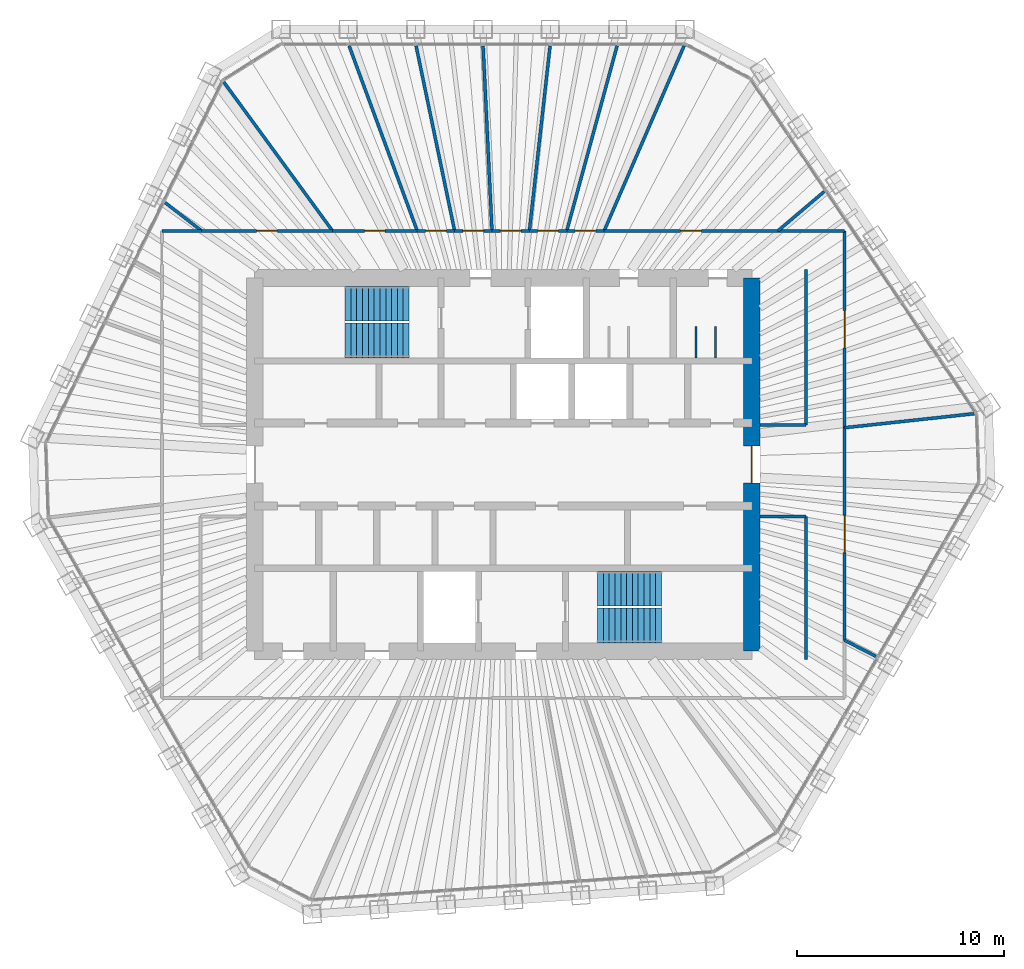
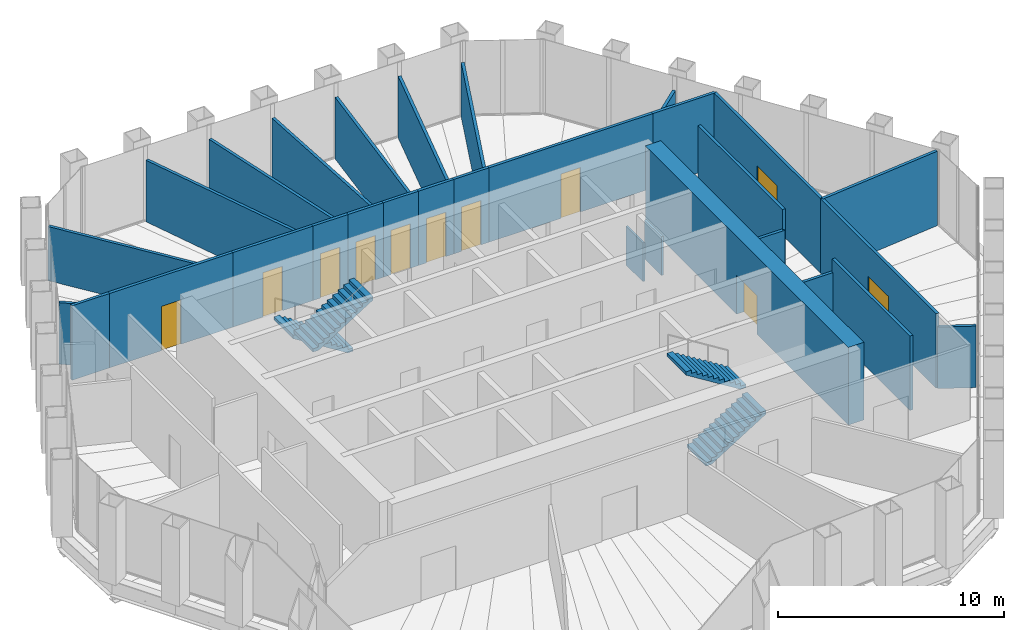
# One storey, part 13 of 14: 30 walls, 11 doors, 4 stair flights, 11 openings, 2 elements without a shape of their own.
"""IFC4 building model written with IfcOpenShell, lengths in metres."""

from ifc_helpers import new_model, si_unit, direction, frame, frame_2d, origin, place, context, subcontext, project, spatial, polyline, rectangle, outline, extrude, material, layer, layer_set, type_object, element, fill, aggregate, save


model = new_model("IFC4")

# Units and contexts
model_context = context("Model", 3, precision=1e-05, world=origin(), true_north=direction((0.0, 1.0)))
body_context = subcontext(model_context, "Body", "Model", "MODEL_VIEW")
ifc_project = project(units=[si_unit("LENGTHUNIT", "METRE"), si_unit("AREAUNIT", "SQUARE_METRE"), si_unit("VOLUMEUNIT", "CUBIC_METRE"), si_unit("PLANEANGLEUNIT", "RADIAN"), si_unit("MASSUNIT", "GRAM", prefix="KILO")], contexts=[model_context])

# Site, building, storey
site_placement = place(None, origin())
site = spatial("IfcSite", under=ifc_project, at=site_placement, CompositionType="ELEMENT")
building_placement = place(site_placement, origin())
building = spatial("IfcBuilding", under=site, at=building_placement, Name="Qingtian Harvest Tower", CompositionType="ELEMENT")
storey_placement = place(building_placement, frame((0.0, 0.0, 316.60009765625)))
storey = spatial("IfcBuildingStorey", under=building, at=storey_placement, Name="L70", CompositionType="ELEMENT", Elevation=316.60009765625)

# Wall, opening, door
ifc_material_1 = material(Name="Concrete fc' 70 MPa", Category="concrete")
ifc_layer_1 = layer(ifc_material_1, 0.800048828125)
ifc_layer_set_1 = layer_set([ifc_layer_1], Name="Core wall RC4 800")
wall_type_1 = type_object("IfcWallType", Name="Core wall RC4 800", PredefinedType="SHEAR", material=ifc_layer_set_1)
wall_1_placement = place(storey_placement, frame((12.0, -9.0, 0.0), z_axis=(0.0, 0.0, 1.0), x_axis=(0.0, 1.0, 0.0)))
wall_1 = element("IfcWall", 1, at=wall_1_placement, inside=storey, type_object=wall_type_1, Name="Core wall CE L70", PredefinedType="SHEAR", context=body_context, shape_type="SweptSolid", body=[
    extrude(rectangle(XDim=18.0, YDim=0.800048828125, at=frame_2d((9.0, 0.0))), origin(), (0.0, 0.0, 1.0), 4.199951171875),
])
opening_1_placement = place(wall_1_placement, frame((8.10009765625, 0.0, 0.0)))
opening_1 = element("IfcOpeningElement", 2, at=opening_1_placement, cuts=wall_1, Name="Opening FD2", PredefinedType="OPENING", context=body_context, shape_type="SweptSolid", body=[
    extrude(rectangle(XDim=1.800048828125, YDim=2.10009765625, at=frame_2d((0.89990234375, 1.050048828125))), frame((0.0, 0.409912109375, 0.0), z_axis=(0.0, -1.0, 0.0), x_axis=(1.0, 0.0, 0.0)), (0.0, 0.0, 1.0), 0.820068359375),
])
ifc_material_2 = material(Name="Steel-faced door leaf", Category="steel")
door_type_1 = type_object("IfcDoorType", Name="Fire door FD2 double 1 HR", OperationType="DOUBLE_DOOR_DOUBLE_SWING", PredefinedType="DOOR", material=ifc_material_2)
door_1_placement = place(opening_1_placement, origin())
door_1 = element("IfcDoor", 3, at=door_1_placement, inside=storey, type_object=door_type_1, Name="LOBBY-E door L70", OperationType="DOUBLE_DOOR_DOUBLE_SWING", OverallHeight=2.10009765625, OverallWidth=1.800048828125, PredefinedType="DOOR", context=body_context, shape_type="SweptSolid", body=[
    extrude(rectangle(XDim=1.800048828125, YDim=2.10009765625, at=frame_2d((0.89990234375, 1.050048828125))), frame((0.0, 0.02490234375, 0.0), z_axis=(0.0, -1.0, 0.0), x_axis=(1.0, 0.0, 0.0)), (0.0, 0.0, 1.0), 0.050048828125),
])
fill(opening_1, door_1)

# Wall
ifc_material_3 = material(Name="Gypsum board on steel studs", Category="steel")
ifc_layer_2 = layer(ifc_material_3, 0.14990234375)
ifc_layer_set_2 = layer_set([ifc_layer_2], Name="Partition PT1 150")
wall_type_2 = type_object("IfcWallType", Name="Partition PT1 150", PredefinedType="PARTITIONING", material=ifc_layer_set_2)
wall_2_placement = place(storey_placement, frame((22.725830078125, 2.45166015625, 0.0), z_axis=(0.0, 0.0, 1.0), x_axis=(-0.994231470971, -0.107255685772, 0.0)))
element("IfcWall", 4, at=wall_2_placement, inside=storey, type_object=wall_type_2, Name="Meeting room wall L70", PredefinedType="PARTITIONING", context=body_context, shape_type="SweptSolid", body=[
    extrude(rectangle(XDim=6.287109375, YDim=0.14990234375, at=frame_2d((3.1435546875, 0.0))), origin(), (0.0, 0.0, 1.0), 4.02978515625),
])

# Wall, opening, door
wall_3_placement = place(storey_placement, frame((16.47509765625, 1.77734375, 0.0), z_axis=(0.0, 0.0, 1.0), x_axis=(0.0, -1.0, 0.0)))
wall_3 = element("IfcWall", 5, at=wall_3_placement, inside=storey, type_object=wall_type_2, Name="Meeting room wall L70", PredefinedType="PARTITIONING", context=body_context, shape_type="SweptSolid", body=[
    extrude(rectangle(XDim=10.25927734375, YDim=0.14990234375, at=frame_2d((5.129638671875, 0.0))), origin(), (0.0, 0.0, 1.0), 4.02978515625),
])
opening_2_placement = place(wall_3_placement, frame((4.229736328125, 0.0, 0.0)))
opening_2 = element("IfcOpeningElement", 6, at=opening_2_placement, cuts=wall_3, Name="Opening D3", PredefinedType="OPENING", context=body_context, shape_type="SweptSolid", body=[
    extrude(rectangle(XDim=1.800048828125, YDim=2.39990234375, at=frame_2d((0.89990234375, 1.199951171875))), frame((0.0, 0.0849609375, 0.0), z_axis=(0.0, -1.0, 0.0), x_axis=(1.0, 0.0, 0.0)), (0.0, 0.0, 1.0), 0.169921875),
])
ifc_material_4 = material(Name="Laminated timber door leaf", Category="wood")
door_type_2 = type_object("IfcDoorType", Name="Room door D3 double", OperationType="DOUBLE_DOOR_DOUBLE_SWING", PredefinedType="DOOR", material=ifc_material_4)
door_2_placement = place(opening_2_placement, origin())
door_2 = element("IfcDoor", 7, at=door_2_placement, inside=storey, type_object=door_type_2, Name="Meeting room door L70", OperationType="DOUBLE_DOOR_DOUBLE_SWING", OverallHeight=2.39990234375, OverallWidth=1.800048828125, PredefinedType="DOOR", context=body_context, shape_type="SweptSolid", body=[
    extrude(rectangle(XDim=1.800048828125, YDim=2.39990234375, at=frame_2d((0.89990234375, 1.199951171875))), frame((0.0, 0.02490234375, 0.0), z_axis=(0.0, -1.0, 0.0), x_axis=(1.0, 0.0, 0.0)), (0.0, 0.0, 1.0), 0.050048828125),
])
fill(opening_2, door_2)

# Walls
wall_4_placement = place(storey_placement, frame((17.98046875, -9.257080078125, 0.0), z_axis=(0.0, 0.0, 1.0), x_axis=(-0.889058145064, 0.457794292991, 0.0)))
element("IfcWall", 8, at=wall_4_placement, inside=storey, type_object=wall_type_2, Name="Workplace zone wall L70", PredefinedType="PARTITIONING", context=body_context, shape_type="SweptSolid", body=[
    extrude(rectangle(XDim=1.693115234375, YDim=0.14990234375, at=frame_2d((0.8466796875, 0.0))), origin(), (0.0, 0.0, 1.0), 3.329833984375),
])
wall_5_placement = place(storey_placement, frame((-16.47509765625, 11.27490234375, 0.0), z_axis=(0.0, 0.0, 1.0), x_axis=(1.0, 0.0, 0.0)))
element("IfcWall", 9, at=wall_5_placement, inside=storey, type_object=wall_type_2, Name="Store room wall L70", PredefinedType="PARTITIONING", context=body_context, shape_type="SweptSolid", body=[
    extrude(rectangle(XDim=1.918701171875, YDim=0.14990234375, at=frame_2d((0.95947265625, 0.0))), origin(), (0.0, 0.0, 1.0), 4.02978515625),
])
wall_6_placement = place(storey_placement, frame((-16.313720703125, 12.63623046875, 0.0), z_axis=(0.0, 0.0, 1.0), x_axis=(0.790545318909, -0.612403542406, 0.0)))
element("IfcWall", 10, at=wall_6_placement, inside=storey, type_object=wall_type_2, Name="Meeting room wall L70", PredefinedType="PARTITIONING", context=body_context, shape_type="SweptSolid", body=[
    extrude(rectangle(XDim=2.222900390625, YDim=0.14990234375, at=frame_2d((1.111328125, 0.0))), origin(), (0.0, 0.0, 1.0), 3.329833984375),
])

# Wall, opening, door
wall_7_placement = place(storey_placement, frame((-14.556396484375, 11.27490234375, 0.0), z_axis=(0.0, 0.0, 1.0), x_axis=(1.0, 0.0, 0.0)))
wall_7 = element("IfcWall", 11, at=wall_7_placement, inside=storey, type_object=wall_type_2, Name="Meeting room wall L70", PredefinedType="PARTITIONING", context=body_context, shape_type="SweptSolid", body=[
    extrude(rectangle(XDim=6.317138671875, YDim=0.14990234375, at=frame_2d((3.15869140625, 0.0))), origin(), (0.0, 0.0, 1.0), 4.02978515625),
])
opening_3_placement = place(wall_7_placement, frame((2.65869140625, 0.0, 0.0)))
opening_3 = element("IfcOpeningElement", 12, at=opening_3_placement, cuts=wall_7, Name="Opening D2", PredefinedType="OPENING", context=body_context, shape_type="SweptSolid", body=[
    extrude(rectangle(XDim=1.0, YDim=2.39990234375, at=frame_2d((0.5, 1.199951171875))), frame((0.0, 0.0849609375, 0.0), z_axis=(0.0, -1.0, 0.0), x_axis=(1.0, 0.0, 0.0)), (0.0, 0.0, 1.0), 0.169921875),
])
ifc_material_5 = material(Name="Laminated timber door leaf", Category="wood")
door_type_3 = type_object("IfcDoorType", Name="Room door D2 single", OperationType="SINGLE_SWING_LEFT", PredefinedType="DOOR", material=ifc_material_5)
door_3_placement = place(opening_3_placement, origin())
door_3 = element("IfcDoor", 13, at=door_3_placement, inside=storey, type_object=door_type_3, Name="Meeting room door L70", OperationType="SINGLE_SWING_LEFT", OverallHeight=2.39990234375, OverallWidth=1.0, PredefinedType="DOOR", context=body_context, shape_type="SweptSolid", body=[
    extrude(rectangle(XDim=1.0, YDim=2.39990234375, at=frame_2d((0.5, 1.199951171875))), frame((0.0, 0.02490234375, 0.0), z_axis=(0.0, -1.0, 0.0), x_axis=(1.0, 0.0, 0.0)), (0.0, 0.0, 1.0), 0.050048828125),
])
fill(opening_3, door_3)

# Wall
wall_8_placement = place(storey_placement, frame((-13.486083984375, 18.455322265625, 0.0), z_axis=(0.0, 0.0, 1.0), x_axis=(0.589986991866, -0.80741275035, 0.0)))
element("IfcWall", 14, at=wall_8_placement, inside=storey, type_object=wall_type_2, Name="Private office wall L70", PredefinedType="PARTITIONING", context=body_context, shape_type="SweptSolid", body=[
    extrude(rectangle(XDim=8.89306640625, YDim=0.14990234375, at=frame_2d((4.446533203125, 0.0))), origin(), (0.0, 0.0, 1.0), 2.929931640625),
])

# Wall, opening, door
wall_9_placement = place(storey_placement, frame((-8.2392578125, 11.27490234375, 0.0), z_axis=(0.0, 0.0, 1.0), x_axis=(1.0, 0.0, 0.0)))
wall_9 = element("IfcWall", 15, at=wall_9_placement, inside=storey, type_object=wall_type_2, Name="Private office wall L70", PredefinedType="PARTITIONING", context=body_context, shape_type="SweptSolid", body=[
    extrude(rectangle(XDim=4.087890625, YDim=0.14990234375, at=frame_2d((2.0439453125, 0.0))), origin(), (0.0, 0.0, 1.0), 4.02978515625),
])
opening_4_placement = place(wall_9_placement, frame((1.5439453125, 0.0, 0.0)))
opening_4 = element("IfcOpeningElement", 16, at=opening_4_placement, cuts=wall_9, Name="Opening D2", PredefinedType="OPENING", context=body_context, shape_type="SweptSolid", body=[
    extrude(rectangle(XDim=1.0, YDim=2.39990234375, at=frame_2d((0.5, 1.199951171875))), frame((0.0, 0.0849609375, 0.0), z_axis=(0.0, -1.0, 0.0), x_axis=(1.0, 0.0, 0.0)), (0.0, 0.0, 1.0), 0.169921875),
])
door_4_placement = place(opening_4_placement, origin())
door_4 = element("IfcDoor", 17, at=door_4_placement, inside=storey, type_object=door_type_3, Name="Private office door L70", OperationType="SINGLE_SWING_RIGHT", OverallHeight=2.39990234375, OverallWidth=1.0, PredefinedType="DOOR", context=body_context, shape_type="SweptSolid", body=[
    extrude(rectangle(XDim=1.0, YDim=2.39990234375, at=frame_2d((0.5, 1.199951171875))), frame((0.0, 0.02490234375, 0.0), z_axis=(0.0, -1.0, 0.0), x_axis=(1.0, 0.0, 0.0)), (0.0, 0.0, 1.0), 0.050048828125),
])
fill(opening_4, door_4)

# Wall
wall_10_placement = place(storey_placement, frame((-7.439697265625, 20.2060546875, 0.0), z_axis=(0.0, 0.0, 1.0), x_axis=(0.345511582319, -0.93841448544, 0.0)))
element("IfcWall", 18, at=wall_10_placement, inside=storey, type_object=wall_type_2, Name="Private office wall L70", PredefinedType="PARTITIONING", context=body_context, shape_type="SweptSolid", body=[
    extrude(rectangle(XDim=9.517333984375, YDim=0.14990234375, at=frame_2d((4.7587890625, 0.0))), origin(), (0.0, 0.0, 1.0), 3.329833984375),
])

# Wall, opening, door
wall_11_placement = place(storey_placement, frame((-4.1513671875, 11.27490234375, 0.0), z_axis=(0.0, 0.0, 1.0), x_axis=(1.0, 0.0, 0.0)))
wall_11 = element("IfcWall", 19, at=wall_11_placement, inside=storey, type_object=wall_type_2, Name="Private office wall L70", PredefinedType="PARTITIONING", context=body_context, shape_type="SweptSolid", body=[
    extrude(rectangle(XDim=1.803955078125, YDim=0.14990234375, at=frame_2d((0.90185546875, 0.0))), origin(), (0.0, 0.0, 1.0), 4.02978515625),
])
opening_5_placement = place(wall_11_placement, frame((0.402099609375, 0.0, 0.0)))
opening_5 = element("IfcOpeningElement", 20, at=opening_5_placement, cuts=wall_11, Name="Opening D2", PredefinedType="OPENING", context=body_context, shape_type="SweptSolid", body=[
    extrude(rectangle(XDim=1.0, YDim=2.39990234375, at=frame_2d((0.5, 1.199951171875))), frame((0.0, 0.0849609375, 0.0), z_axis=(0.0, -1.0, 0.0), x_axis=(1.0, 0.0, 0.0)), (0.0, 0.0, 1.0), 0.169921875),
])
door_5_placement = place(opening_5_placement, origin())
door_5 = element("IfcDoor", 21, at=door_5_placement, inside=storey, type_object=door_type_3, Name="Private office door L70", OperationType="SINGLE_SWING_RIGHT", OverallHeight=2.39990234375, OverallWidth=1.0, PredefinedType="DOOR", context=body_context, shape_type="SweptSolid", body=[
    extrude(rectangle(XDim=1.0, YDim=2.39990234375, at=frame_2d((0.5, 1.199951171875))), frame((0.0, 0.02490234375, 0.0), z_axis=(0.0, -1.0, 0.0), x_axis=(1.0, 0.0, 0.0)), (0.0, 0.0, 1.0), 0.050048828125),
])
fill(opening_5, door_5)

# Wall
wall_12_placement = place(storey_placement, frame((-4.205810546875, 20.2021484375, 0.0), z_axis=(0.0, 0.0, 1.0), x_axis=(0.203802429316, -0.97901203762, 0.0)))
element("IfcWall", 22, at=wall_12_placement, inside=storey, type_object=wall_type_2, Name="Private office wall L70", PredefinedType="PARTITIONING", context=body_context, shape_type="SweptSolid", body=[
    extrude(rectangle(XDim=9.11865234375, YDim=0.14990234375, at=frame_2d((4.559326171875, 0.0))), origin(), (0.0, 0.0, 1.0), 3.329833984375),
])

# Wall, opening, door
wall_13_placement = place(storey_placement, frame((-2.347412109375, 11.27490234375, 0.0), z_axis=(0.0, 0.0, 1.0), x_axis=(1.0, 0.0, 0.0)))
wall_13 = element("IfcWall", 23, at=wall_13_placement, inside=storey, type_object=wall_type_2, Name="Private office wall L70", PredefinedType="PARTITIONING", context=body_context, shape_type="SweptSolid", body=[
    extrude(rectangle(XDim=1.80419921875, YDim=0.14990234375, at=frame_2d((0.902099609375, 0.0))), origin(), (0.0, 0.0, 1.0), 4.02978515625),
])
opening_6_placement = place(wall_13_placement, frame((0.402099609375, 0.0, 0.0)))
opening_6 = element("IfcOpeningElement", 24, at=opening_6_placement, cuts=wall_13, Name="Opening D2", PredefinedType="OPENING", context=body_context, shape_type="SweptSolid", body=[
    extrude(rectangle(XDim=1.0, YDim=2.39990234375, at=frame_2d((0.5, 1.199951171875))), frame((0.0, 0.0849609375, 0.0), z_axis=(0.0, -1.0, 0.0), x_axis=(1.0, 0.0, 0.0)), (0.0, 0.0, 1.0), 0.169921875),
])
door_6_placement = place(opening_6_placement, origin())
door_6 = element("IfcDoor", 25, at=door_6_placement, inside=storey, type_object=door_type_3, Name="Private office door L70", OperationType="SINGLE_SWING_RIGHT", OverallHeight=2.39990234375, OverallWidth=1.0, PredefinedType="DOOR", context=body_context, shape_type="SweptSolid", body=[
    extrude(rectangle(XDim=1.0, YDim=2.39990234375, at=frame_2d((0.5, 1.199951171875))), frame((0.0, 0.02490234375, 0.0), z_axis=(0.0, -1.0, 0.0), x_axis=(1.0, 0.0, 0.0)), (0.0, 0.0, 1.0), 0.050048828125),
])
fill(opening_6, door_6)

# Wall
wall_14_placement = place(storey_placement, frame((-0.973388671875, 20.2001953125, 0.0), z_axis=(0.0, 0.0, 1.0), x_axis=(0.04814150135, -0.998840525734, 0.0)))
element("IfcWall", 26, at=wall_14_placement, inside=storey, type_object=wall_type_2, Name="Private office wall L70", PredefinedType="PARTITIONING", context=body_context, shape_type="SweptSolid", body=[
    extrude(rectangle(XDim=8.935546875, YDim=0.14990234375, at=frame_2d((4.4677734375, 0.0))), origin(), (0.0, 0.0, 1.0), 3.329833984375),
])

# Wall, opening, door
wall_15_placement = place(storey_placement, frame((-0.543212890625, 11.27490234375, 0.0), z_axis=(0.0, 0.0, 1.0), x_axis=(1.0, 0.0, 0.0)))
wall_15 = element("IfcWall", 27, at=wall_15_placement, inside=storey, type_object=wall_type_2, Name="Private office wall L70", PredefinedType="PARTITIONING", context=body_context, shape_type="SweptSolid", body=[
    extrude(rectangle(XDim=1.803955078125, YDim=0.14990234375, at=frame_2d((0.90185546875, 0.0))), origin(), (0.0, 0.0, 1.0), 4.02978515625),
])
opening_7_placement = place(wall_15_placement, frame((0.402099609375, 0.0, 0.0)))
opening_7 = element("IfcOpeningElement", 28, at=opening_7_placement, cuts=wall_15, Name="Opening D2", PredefinedType="OPENING", context=body_context, shape_type="SweptSolid", body=[
    extrude(rectangle(XDim=1.0, YDim=2.39990234375, at=frame_2d((0.5, 1.199951171875))), frame((0.0, 0.0849609375, 0.0), z_axis=(0.0, -1.0, 0.0), x_axis=(1.0, 0.0, 0.0)), (0.0, 0.0, 1.0), 0.169921875),
])
door_7_placement = place(opening_7_placement, origin())
door_7 = element("IfcDoor", 29, at=door_7_placement, inside=storey, type_object=door_type_3, Name="Private office door L70", OperationType="SINGLE_SWING_RIGHT", OverallHeight=2.39990234375, OverallWidth=1.0, PredefinedType="DOOR", context=body_context, shape_type="SweptSolid", body=[
    extrude(rectangle(XDim=1.0, YDim=2.39990234375, at=frame_2d((0.5, 1.199951171875))), frame((0.0, 0.02490234375, 0.0), z_axis=(0.0, -1.0, 0.0), x_axis=(1.0, 0.0, 0.0)), (0.0, 0.0, 1.0), 0.050048828125),
])
fill(opening_7, door_7)

# Wall
wall_16_placement = place(storey_placement, frame((2.2587890625, 20.20068359375, 0.0), z_axis=(0.0, 0.0, 1.0), x_axis=(-0.111123668582, -0.993806585952, 0.0)))
element("IfcWall", 30, at=wall_16_placement, inside=storey, type_object=wall_type_2, Name="Private office wall L70", PredefinedType="PARTITIONING", context=body_context, shape_type="SweptSolid", body=[
    extrude(rectangle(XDim=8.9814453125, YDim=0.14990234375, at=frame_2d((4.49072265625, 0.0))), origin(), (0.0, 0.0, 1.0), 3.329833984375),
])

# Wall, opening, door
wall_17_placement = place(storey_placement, frame((1.2607421875, 11.27490234375, 0.0), z_axis=(0.0, 0.0, 1.0), x_axis=(1.0, 0.0, 0.0)))
wall_17 = element("IfcWall", 31, at=wall_17_placement, inside=storey, type_object=wall_type_2, Name="Private office wall L70", PredefinedType="PARTITIONING", context=body_context, shape_type="SweptSolid", body=[
    extrude(rectangle(XDim=1.803955078125, YDim=0.14990234375, at=frame_2d((0.90185546875, 0.0))), origin(), (0.0, 0.0, 1.0), 4.02978515625),
])
opening_8_placement = place(wall_17_placement, frame((0.402099609375, 0.0, 0.0)))
opening_8 = element("IfcOpeningElement", 32, at=opening_8_placement, cuts=wall_17, Name="Opening D2", PredefinedType="OPENING", context=body_context, shape_type="SweptSolid", body=[
    extrude(rectangle(XDim=1.0, YDim=2.39990234375, at=frame_2d((0.5, 1.199951171875))), frame((0.0, 0.0849609375, 0.0), z_axis=(0.0, -1.0, 0.0), x_axis=(1.0, 0.0, 0.0)), (0.0, 0.0, 1.0), 0.169921875),
])
door_8_placement = place(opening_8_placement, origin())
door_8 = element("IfcDoor", 33, at=door_8_placement, inside=storey, type_object=door_type_3, Name="Private office door L70", OperationType="SINGLE_SWING_LEFT", OverallHeight=2.39990234375, OverallWidth=1.0, PredefinedType="DOOR", context=body_context, shape_type="SweptSolid", body=[
    extrude(rectangle(XDim=1.0, YDim=2.39990234375, at=frame_2d((0.5, 1.199951171875))), frame((0.0, 0.02490234375, 0.0), z_axis=(0.0, -1.0, 0.0), x_axis=(1.0, 0.0, 0.0)), (0.0, 0.0, 1.0), 0.050048828125),
])
fill(opening_8, door_8)

# Wall
wall_18_placement = place(storey_placement, frame((5.49169921875, 20.20361328125, 0.0), z_axis=(0.0, 0.0, 1.0), x_axis=(-0.262302393053, -0.964985727666, 0.0)))
element("IfcWall", 34, at=wall_18_placement, inside=storey, type_object=wall_type_2, Name="Private office wall L70", PredefinedType="PARTITIONING", context=body_context, shape_type="SweptSolid", body=[
    extrude(rectangle(XDim=9.252685546875, YDim=0.14990234375, at=frame_2d((4.62646484375, 0.0))), origin(), (0.0, 0.0, 1.0), 3.329833984375),
])

# Wall, opening, door
wall_19_placement = place(storey_placement, frame((3.064697265625, 11.27490234375, 0.0), z_axis=(0.0, 0.0, 1.0), x_axis=(1.0, 0.0, 0.0)))
wall_19 = element("IfcWall", 35, at=wall_19_placement, inside=storey, type_object=wall_type_2, Name="Private office wall L70", PredefinedType="PARTITIONING", context=body_context, shape_type="SweptSolid", body=[
    extrude(rectangle(XDim=1.803955078125, YDim=0.14990234375, at=frame_2d((0.90185546875, 0.0))), origin(), (0.0, 0.0, 1.0), 4.02978515625),
])
opening_9_placement = place(wall_19_placement, frame((0.402099609375, 0.0, 0.0)))
opening_9 = element("IfcOpeningElement", 36, at=opening_9_placement, cuts=wall_19, Name="Opening D2", PredefinedType="OPENING", context=body_context, shape_type="SweptSolid", body=[
    extrude(rectangle(XDim=1.0, YDim=2.39990234375, at=frame_2d((0.5, 1.199951171875))), frame((0.0, 0.0849609375, 0.0), z_axis=(0.0, -1.0, 0.0), x_axis=(1.0, 0.0, 0.0)), (0.0, 0.0, 1.0), 0.169921875),
])
door_9_placement = place(opening_9_placement, origin())
door_9 = element("IfcDoor", 37, at=door_9_placement, inside=storey, type_object=door_type_3, Name="Private office door L70", OperationType="SINGLE_SWING_LEFT", OverallHeight=2.39990234375, OverallWidth=1.0, PredefinedType="DOOR", context=body_context, shape_type="SweptSolid", body=[
    extrude(rectangle(XDim=1.0, YDim=2.39990234375, at=frame_2d((0.5, 1.199951171875))), frame((0.0, 0.02490234375, 0.0), z_axis=(0.0, -1.0, 0.0), x_axis=(1.0, 0.0, 0.0)), (0.0, 0.0, 1.0), 0.050048828125),
])
fill(opening_9, door_9)

# Wall
wall_20_placement = place(storey_placement, frame((8.726318359375, 20.208251953125, 0.0), z_axis=(0.0, 0.0, 1.0), x_axis=(-0.39644322536, -0.918059240499, 0.0)))
element("IfcWall", 38, at=wall_20_placement, inside=storey, type_object=wall_type_2, Name="Print room wall L70", PredefinedType="PARTITIONING", context=body_context, shape_type="SweptSolid", body=[
    extrude(rectangle(XDim=9.730712890625, YDim=0.14990234375, at=frame_2d((4.865234375, 0.0))), origin(), (0.0, 0.0, 1.0), 2.929931640625),
])

# Wall, opening, door
wall_21_placement = place(storey_placement, frame((4.86865234375, 11.27490234375, 0.0), z_axis=(0.0, 0.0, 1.0), x_axis=(1.0, 0.0, 0.0)))
wall_21 = element("IfcWall", 39, at=wall_21_placement, inside=storey, type_object=wall_type_2, Name="Print room wall L70", PredefinedType="PARTITIONING", context=body_context, shape_type="SweptSolid", body=[
    extrude(rectangle(XDim=8.388671875, YDim=0.14990234375, at=frame_2d((4.1943359375, 0.0))), origin(), (0.0, 0.0, 1.0), 4.02978515625),
])
opening_10_placement = place(wall_21_placement, frame((3.6943359375, 0.0, 0.0)))
opening_10 = element("IfcOpeningElement", 40, at=opening_10_placement, cuts=wall_21, Name="Opening D2", PredefinedType="OPENING", context=body_context, shape_type="SweptSolid", body=[
    extrude(rectangle(XDim=1.0, YDim=2.39990234375, at=frame_2d((0.5, 1.199951171875))), frame((0.0, 0.0849609375, 0.0), z_axis=(0.0, -1.0, 0.0), x_axis=(1.0, 0.0, 0.0)), (0.0, 0.0, 1.0), 0.169921875),
])
door_10_placement = place(opening_10_placement, origin())
door_10 = element("IfcDoor", 41, at=door_10_placement, inside=storey, type_object=door_type_3, Name="Print room door L70", OperationType="SINGLE_SWING_LEFT", OverallHeight=2.39990234375, OverallWidth=1.0, PredefinedType="DOOR", context=body_context, shape_type="SweptSolid", body=[
    extrude(rectangle(XDim=1.0, YDim=2.39990234375, at=frame_2d((0.5, 1.199951171875))), frame((0.0, 0.02490234375, 0.0), z_axis=(0.0, -1.0, 0.0), x_axis=(1.0, 0.0, 0.0)), (0.0, 0.0, 1.0), 0.050048828125),
])
fill(opening_10, door_10)

# Walls
wall_22_placement = place(storey_placement, frame((15.48388671875, 13.168701171875, 0.0), z_axis=(0.0, 0.0, 1.0), x_axis=(-0.761733198285, -0.647890835427, 0.0)))
element("IfcWall", 42, at=wall_22_placement, inside=storey, type_object=wall_type_2, Name="Workplace zone wall L70", PredefinedType="PARTITIONING", context=body_context, shape_type="SweptSolid", body=[
    extrude(rectangle(XDim=2.923095703125, YDim=0.14990234375, at=frame_2d((1.46142578125, 0.0))), origin(), (0.0, 0.0, 1.0), 3.329833984375),
])
wall_23_placement = place(storey_placement, frame((13.25732421875, 11.27490234375, 0.0), z_axis=(0.0, 0.0, 1.0), x_axis=(1.0, 0.0, 0.0)))
element("IfcWall", 43, at=wall_23_placement, inside=storey, type_object=wall_type_2, Name="Workplace zone wall L70", PredefinedType="PARTITIONING", context=body_context, shape_type="SweptSolid", body=[
    extrude(rectangle(XDim=3.2177734375, YDim=0.14990234375, at=frame_2d((1.60888671875, 0.0))), origin(), (0.0, 0.0, 1.0), 4.02978515625),
])

# Wall, opening, door
wall_24_placement = place(storey_placement, frame((16.47509765625, 11.27490234375, 0.0), z_axis=(0.0, 0.0, 1.0), x_axis=(0.0, -1.0, 0.0)))
wall_24 = element("IfcWall", 44, at=wall_24_placement, inside=storey, type_object=wall_type_2, Name="Workplace zone wall L70", PredefinedType="PARTITIONING", context=body_context, shape_type="SweptSolid", body=[
    extrude(rectangle(XDim=9.49755859375, YDim=0.14990234375, at=frame_2d((4.748779296875, 0.0))), origin(), (0.0, 0.0, 1.0), 4.02978515625),
])
opening_11_placement = place(wall_24_placement, frame((3.848876953125, 0.0, 0.0)))
opening_11 = element("IfcOpeningElement", 45, at=opening_11_placement, cuts=wall_24, Name="Opening D3", PredefinedType="OPENING", context=body_context, shape_type="SweptSolid", body=[
    extrude(rectangle(XDim=1.800048828125, YDim=2.39990234375, at=frame_2d((0.89990234375, 1.199951171875))), frame((0.0, 0.0849609375, 0.0), z_axis=(0.0, -1.0, 0.0), x_axis=(1.0, 0.0, 0.0)), (0.0, 0.0, 1.0), 0.169921875),
])
door_11_placement = place(opening_11_placement, origin())
door_11 = element("IfcDoor", 46, at=door_11_placement, inside=storey, type_object=door_type_2, Name="Workplace zone door L70", OperationType="DOUBLE_DOOR_DOUBLE_SWING", OverallHeight=2.39990234375, OverallWidth=1.800048828125, PredefinedType="DOOR", context=body_context, shape_type="SweptSolid", body=[
    extrude(rectangle(XDim=1.800048828125, YDim=2.39990234375, at=frame_2d((0.89990234375, 1.199951171875))), frame((0.0, 0.02490234375, 0.0), z_axis=(0.0, -1.0, 0.0), x_axis=(1.0, 0.0, 0.0)), (0.0, 0.0, 1.0), 0.050048828125),
])
fill(opening_11, door_11)

# Walls
wall_25_placement = place(storey_placement, frame((14.60009765625, 1.89990234375, 0.0), z_axis=(0.0, 0.0, 1.0), x_axis=(0.0, 1.0, 0.0)))
element("IfcWall", 47, at=wall_25_placement, inside=storey, type_object=wall_type_2, Name="Coffee point wall L70", PredefinedType="PARTITIONING", context=body_context, shape_type="SweptSolid", body=[
    extrude(rectangle(XDim=7.5, YDim=0.14990234375, at=frame_2d((3.75, 0.0))), origin(), (0.0, 0.0, 1.0), 4.02978515625),
])
wall_26_placement = place(storey_placement, frame((12.39990234375, 1.89990234375, 0.0), z_axis=(0.0, 0.0, 1.0), x_axis=(1.0, 0.0, 0.0)))
element("IfcWall", 48, at=wall_26_placement, inside=storey, type_object=wall_type_2, Name="Coffee point wall L70", PredefinedType="PARTITIONING", context=body_context, shape_type="SweptSolid", body=[
    extrude(rectangle(XDim=2.2001953125, YDim=0.14990234375, at=frame_2d((1.10009765625, 0.0))), origin(), (0.0, 0.0, 1.0), 2.929931640625),
])
wall_27_placement = place(storey_placement, frame((14.60009765625, -9.39990234375, 0.0), z_axis=(0.0, 0.0, 1.0), x_axis=(0.0, 1.0, 0.0)))
element("IfcWall", 49, at=wall_27_placement, inside=storey, type_object=wall_type_2, Name="Print area wall L70", PredefinedType="PARTITIONING", context=body_context, shape_type="SweptSolid", body=[
    extrude(rectangle(XDim=6.89990234375, YDim=0.14990234375, at=frame_2d((3.449951171875, 0.0))), origin(), (0.0, 0.0, 1.0), 4.02978515625),
])
wall_28_placement = place(storey_placement, frame((12.39990234375, -2.5, 0.0), z_axis=(0.0, 0.0, 1.0), x_axis=(1.0, 0.0, 0.0)))
element("IfcWall", 50, at=wall_28_placement, inside=storey, type_object=wall_type_2, Name="Print area wall L70", PredefinedType="PARTITIONING", context=body_context, shape_type="SweptSolid", body=[
    extrude(rectangle(XDim=2.2001953125, YDim=0.14990234375, at=frame_2d((1.10009765625, 0.0))), origin(), (0.0, 0.0, 1.0), 3.329833984375),
])
ifc_material_6 = material(Name="Compact laminate cubicle partition", Category="plastic")
ifc_layer_3 = layer(ifc_material_6, 0.10009765625)
ifc_layer_set_3 = layer_set([ifc_layer_3], Name="WC cubicle partition WP1 100")
wall_type_3 = type_object("IfcWallType", Name="WC cubicle partition WP1 100", PredefinedType="PARTITIONING", material=ifc_layer_set_3)
for number, where, z_axis, x_axis, name in (
    (51, (9.300048828125, 5.14990234375, 0.0), (0.0, 0.0, 1.0), (0.0, 1.0, 0.0), "WC cubicle partition WCF L70"),
    (52, (10.25, 5.14990234375, 0.0), (0.0, 0.0, 1.0), (0.0, 1.0, 0.0), "WC cubicle partition WCF L70"),
):
    element("IfcWall", number, at=place(storey_placement, frame(where, z_axis=z_axis, x_axis=x_axis)), inside=storey, type_object=wall_type_3, Name=name, PredefinedType="PARTITIONING", context=body_context, shape_type="SweptSolid", body=[
        extrude(rectangle(XDim=1.5, YDim=0.10009765625, at=frame_2d((0.75, 0.0))), origin(), (0.0, 0.0, 1.0), 2.099853515625),
    ])

# Stair, stair flights
ifc_material_7 = material(Name="Concrete fc' 35 MPa", Category="concrete")
stair_type = type_object("IfcStairType", Name="Special stair ST7 4200", PredefinedType="HALF_TURN_STAIR", material=ifc_material_7)
stair_1_placement = place(storey_placement, origin())
stair_1 = element("IfcStair", 53, at=stair_1_placement, inside=storey, type_object=stair_type, Name="Special stair S1 L70", PredefinedType="HALF_TURN_STAIR")
ifc_material_8 = material(Name="Concrete fc' 35 MPa", Category="concrete")
stair_flight_type = type_object("IfcStairFlightType", Name="Stair flight SF7 4200", PredefinedType="STRAIGHT", material=ifc_material_8)
stair_flight_1_placement = place(storey_placement, frame((-4.550048828125, 7.762451171875, 0.0), z_axis=(0.0, 0.0, 1.0), x_axis=(-1.0, 0.0, 0.0)))
stair_flight_1 = element("IfcStairFlight", 54, at=stair_flight_1_placement, type_object=stair_flight_type, Name="S1 flight 1", NumberOfRisers=12, NumberOfTreads=11, PredefinedType="STRAIGHT", RiserHeight=0.175, TreadLength=0.28, context=body_context, shape_type="SweptSolid", body=[
    extrude(outline(polyline([(0.0, 0.0), (0.0, 0.175048828125), (0.280029296875, 0.175048828125), (0.280029296875, 0.35009765625), (0.56005859375, 0.35009765625), (0.56005859375, 0.52490234375), (0.840087890625, 0.52490234375), (0.840087890625, 0.699951171875), (1.1201171875, 0.699951171875), (1.1201171875, 0.875), (1.39990234375, 0.875), (1.39990234375, 1.050048828125), (1.679931640625, 1.050048828125), (1.679931640625, 1.22509765625), (1.9599609375, 1.22509765625), (1.9599609375, 1.39990234375), (2.239990234375, 1.39990234375), (2.239990234375, 1.574951171875), (2.52001953125, 1.574951171875), (2.52001953125, 1.75), (2.800048828125, 1.75), (2.800048828125, 1.925048828125), (3.080078125, 1.925048828125), (3.080078125, 2.10009765625), (3.080078125, 1.748291015625), (0.28271484375, 0.0), (0.0, 0.0)])), frame((0.0, 0.83740234375, 0.0), z_axis=(0.0, -1.0, 0.0), x_axis=(1.0, 0.0, 0.0)), (0.0, 0.0, 1.0), 1.675048828125),
])
stair_flight_2_placement = place(storey_placement, frame((-7.6298828125, 5.987548828125, 2.099853515625), z_axis=(0.0, 0.0, 1.0), x_axis=(1.0, 0.0, 0.0)))
stair_flight_2 = element("IfcStairFlight", 55, at=stair_flight_2_placement, type_object=stair_flight_type, Name="S1 flight 2", NumberOfRisers=12, NumberOfTreads=11, PredefinedType="STRAIGHT", RiserHeight=0.175, TreadLength=0.28, context=body_context, shape_type="SweptSolid", body=[
    extrude(outline(polyline([(0.0, 0.0), (0.0, 0.175048828125), (0.280029296875, 0.175048828125), (0.280029296875, 0.35009765625), (0.56005859375, 0.35009765625), (0.56005859375, 0.52490234375), (0.840087890625, 0.52490234375), (0.840087890625, 0.699951171875), (1.1201171875, 0.699951171875), (1.1201171875, 0.875), (1.39990234375, 0.875), (1.39990234375, 1.050048828125), (1.679931640625, 1.050048828125), (1.679931640625, 1.22509765625), (1.9599609375, 1.22509765625), (1.9599609375, 1.39990234375), (2.239990234375, 1.39990234375), (2.239990234375, 1.574951171875), (2.52001953125, 1.574951171875), (2.52001953125, 1.75), (2.800048828125, 1.75), (2.800048828125, 1.925048828125), (3.080078125, 1.925048828125), (3.080078125, 2.10009765625), (3.080078125, 1.748291015625), (0.28271484375, 0.0), (0.0, 0.0)])), frame((0.0, 0.83740234375, 0.0), z_axis=(0.0, -1.0, 0.0), x_axis=(1.0, 0.0, 0.0)), (0.0, 0.0, 1.0), 1.675048828125),
])
aggregate(stair_1, [stair_flight_1, stair_flight_2])

stair_2_placement = place(storey_placement, origin())
stair_2 = element("IfcStair", 56, at=stair_2_placement, inside=storey, type_object=stair_type, Name="Special stair S2 L70", PredefinedType="HALF_TURN_STAIR")
stair_flight_3_placement = place(storey_placement, frame((4.550048828125, -7.762451171875, 0.0), z_axis=(0.0, 0.0, 1.0), x_axis=(1.0, 0.0, 0.0)))
stair_flight_3 = element("IfcStairFlight", 57, at=stair_flight_3_placement, type_object=stair_flight_type, Name="S2 flight 1", NumberOfRisers=12, NumberOfTreads=11, PredefinedType="STRAIGHT", RiserHeight=0.175, TreadLength=0.28, context=body_context, shape_type="SweptSolid", body=[
    extrude(outline(polyline([(0.0, 0.0), (0.0, 0.175048828125), (0.280029296875, 0.175048828125), (0.280029296875, 0.35009765625), (0.56005859375, 0.35009765625), (0.56005859375, 0.52490234375), (0.840087890625, 0.52490234375), (0.840087890625, 0.699951171875), (1.1201171875, 0.699951171875), (1.1201171875, 0.875), (1.39990234375, 0.875), (1.39990234375, 1.050048828125), (1.679931640625, 1.050048828125), (1.679931640625, 1.22509765625), (1.9599609375, 1.22509765625), (1.9599609375, 1.39990234375), (2.239990234375, 1.39990234375), (2.239990234375, 1.574951171875), (2.52001953125, 1.574951171875), (2.52001953125, 1.75), (2.800048828125, 1.75), (2.800048828125, 1.925048828125), (3.080078125, 1.925048828125), (3.080078125, 2.10009765625), (3.080078125, 1.748291015625), (0.28271484375, 0.0), (0.0, 0.0)])), frame((0.0, 0.83740234375, 0.0), z_axis=(0.0, -1.0, 0.0), x_axis=(1.0, 0.0, 0.0)), (0.0, 0.0, 1.0), 1.675048828125),
])
stair_flight_4_placement = place(storey_placement, frame((7.6298828125, -5.987548828125, 2.099853515625), z_axis=(0.0, 0.0, 1.0), x_axis=(-1.0, 0.0, 0.0)))
stair_flight_4 = element("IfcStairFlight", 58, at=stair_flight_4_placement, type_object=stair_flight_type, Name="S2 flight 2", NumberOfRisers=12, NumberOfTreads=11, PredefinedType="STRAIGHT", RiserHeight=0.175, TreadLength=0.28, context=body_context, shape_type="SweptSolid", body=[
    extrude(outline(polyline([(0.0, 0.0), (0.0, 0.175048828125), (0.280029296875, 0.175048828125), (0.280029296875, 0.35009765625), (0.56005859375, 0.35009765625), (0.56005859375, 0.52490234375), (0.840087890625, 0.52490234375), (0.840087890625, 0.699951171875), (1.1201171875, 0.699951171875), (1.1201171875, 0.875), (1.39990234375, 0.875), (1.39990234375, 1.050048828125), (1.679931640625, 1.050048828125), (1.679931640625, 1.22509765625), (1.9599609375, 1.22509765625), (1.9599609375, 1.39990234375), (2.239990234375, 1.39990234375), (2.239990234375, 1.574951171875), (2.52001953125, 1.574951171875), (2.52001953125, 1.75), (2.800048828125, 1.75), (2.800048828125, 1.925048828125), (3.080078125, 1.925048828125), (3.080078125, 2.10009765625), (3.080078125, 1.748291015625), (0.28271484375, 0.0), (0.0, 0.0)])), frame((0.0, 0.83740234375, 0.0), z_axis=(0.0, -1.0, 0.0), x_axis=(1.0, 0.0, 0.0)), (0.0, 0.0, 1.0), 1.675048828125),
])
aggregate(stair_2, [stair_flight_3, stair_flight_4])

save(model, "model.ifc")
